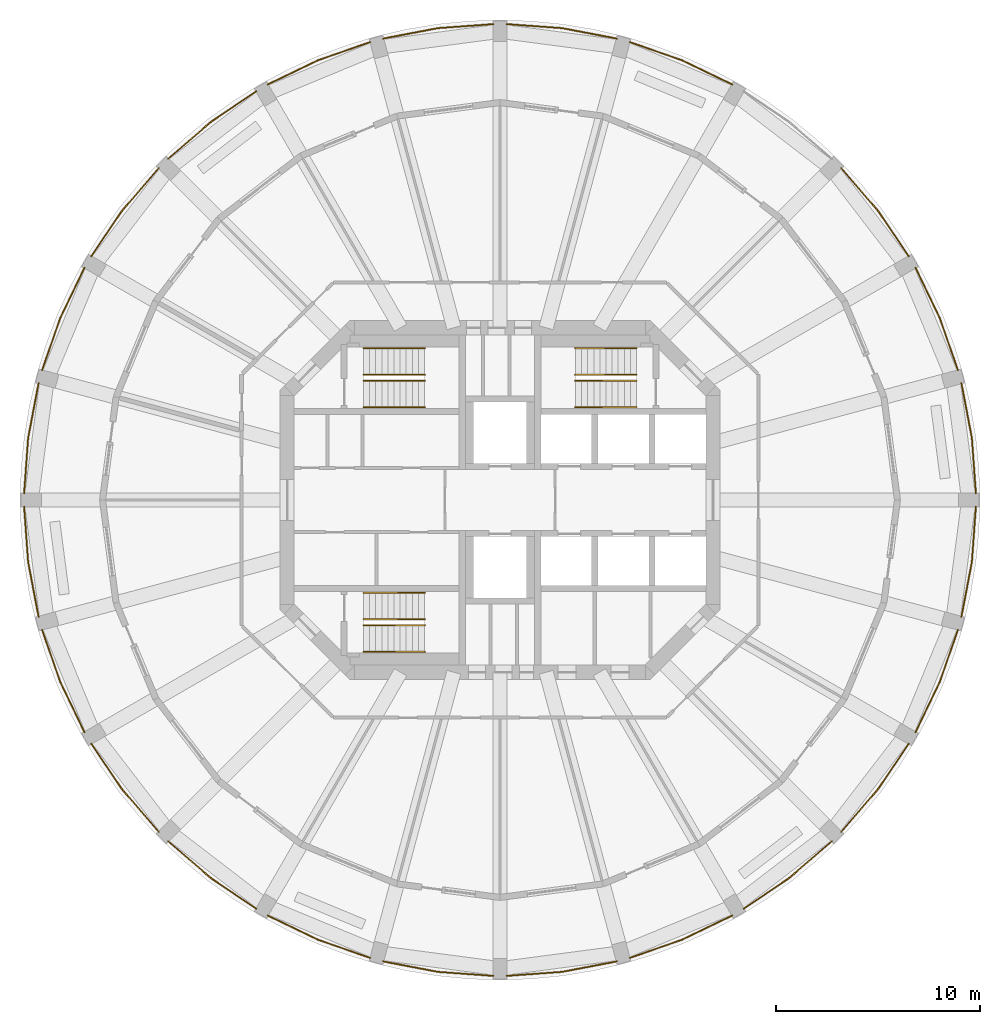
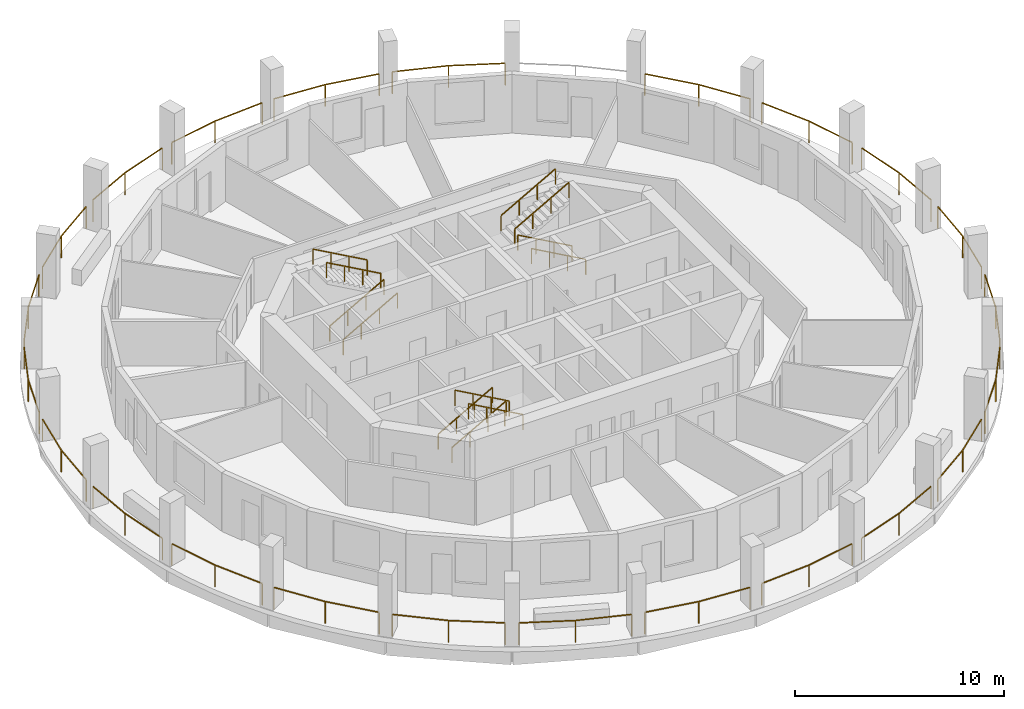
# One storey, part 7 of 8: 35 railings.
"""IFC4 building model written with IfcOpenShell, lengths in metres."""

from ifc_helpers import new_model, si_unit, direction, frame, origin, origin_2d, place, context, subcontext, project, spatial, rectangle, extrude, material, type_object, element, save


model = new_model("IFC4")

# Units and contexts
model_context = context("Model", 3, precision=1e-05, world=origin(), true_north=direction((0.0, 1.0)))
body_context = subcontext(model_context, "Body", "Model", "MODEL_VIEW")
ifc_project = project(units=[si_unit("LENGTHUNIT", "METRE"), si_unit("AREAUNIT", "SQUARE_METRE"), si_unit("VOLUMEUNIT", "CUBIC_METRE"), si_unit("PLANEANGLEUNIT", "RADIAN"), si_unit("MASSUNIT", "GRAM", prefix="KILO")], contexts=[model_context])

# Site, building, storey
site_placement = place(None, origin())
site = spatial("IfcSite", under=ifc_project, at=site_placement, CompositionType="ELEMENT")
building_placement = place(site_placement, origin())
building = spatial("IfcBuilding", under=site, at=building_placement, Name="Torre Triforio", CompositionType="ELEMENT")
storey_placement = place(building_placement, frame((0.0, 0.0, 207.60009765625)))
storey = spatial("IfcBuildingStorey", under=building, at=storey_placement, Name="L47", CompositionType="ELEMENT", Elevation=207.60009765625)

# Railings
ifc_material = material(Name="Stainless steel AISI 316", Category="steel")
railing_type_1 = type_object("IfcRailingType", Name="HANDRAIL 920", PredefinedType="HANDRAIL", material=ifc_material)
for number, where, name in (
    (1, (-6.699951171875, 4.550048828125, 0.16796875), "Handrail ST1"),
    (2, (-6.699951171875, 5.85009765625, 0.16796875), "Handrail ST1"),
):
    element("IfcRailing", number, at=place(storey_placement, frame(where)), inside=storey, type_object=railing_type_1, Name=name, PredefinedType="HANDRAIL", context=body_context, shape_type="SweptSolid", body=[
        extrude(rectangle(XDim=0.048095703125, YDim=0.048095703125, at=origin_2d()), frame((0.0, 0.0, 0.89599609375), z_axis=(0.872272294576, 0.0, 0.489020494575), x_axis=(0.0, 1.0, 0.0)), (0.0, 0.0, 1.0), 3.439208984375),
        extrude(rectangle(XDim=0.0419921875, YDim=0.0419921875, at=origin_2d()), origin(), (0.0, 0.0, 1.0), 0.871826171875),
        extrude(rectangle(XDim=0.0419921875, YDim=0.0419921875, at=origin_2d()), frame((1.0, 0.0, 0.560546875)), (0.0, 0.0, 1.0), 0.871826171875),
        extrude(rectangle(XDim=0.0419921875, YDim=0.0419921875, at=origin_2d()), frame((2.0, 0.0, 1.121337890625)), (0.0, 0.0, 1.0), 0.871826171875),
        extrude(rectangle(XDim=0.0419921875, YDim=0.0419921875, at=origin_2d()), frame((3.0, 0.0, 1.681884765625)), (0.0, 0.0, 1.0), 0.871826171875),
    ])
for number, where, name in (
    (3, (-3.699951171875, 7.449951171875, 2.01806640625), "Handrail ST1"),
    (4, (-3.699951171875, 6.14990234375, 2.01806640625), "Handrail ST1"),
    (5, (6.699951171875, 4.550048828125, 0.16796875), "Handrail ST2"),
    (6, (6.699951171875, 5.85009765625, 0.16796875), "Handrail ST2"),
):
    element("IfcRailing", number, at=place(storey_placement, frame(where)), inside=storey, type_object=railing_type_1, Name=name, PredefinedType="HANDRAIL", context=body_context, shape_type="SweptSolid", body=[
        extrude(rectangle(XDim=0.048095703125, YDim=0.048095703125, at=origin_2d()), frame((0.0, 0.0, 0.89599609375), z_axis=(-0.872272294576, 0.0, 0.489020494575), x_axis=(0.0, -1.0, 0.0)), (0.0, 0.0, 1.0), 3.439208984375),
        extrude(rectangle(XDim=0.0419921875, YDim=0.0419921875, at=origin_2d()), origin(), (0.0, 0.0, 1.0), 0.871826171875),
        extrude(rectangle(XDim=0.0419921875, YDim=0.0419921875, at=origin_2d()), frame((-1.0, 0.0, 0.560546875)), (0.0, 0.0, 1.0), 0.871826171875),
        extrude(rectangle(XDim=0.0419921875, YDim=0.0419921875, at=origin_2d()), frame((-2.0, 0.0, 1.121337890625)), (0.0, 0.0, 1.0), 0.871826171875),
        extrude(rectangle(XDim=0.0419921875, YDim=0.0419921875, at=origin_2d()), frame((-3.0, 0.0, 1.681884765625)), (0.0, 0.0, 1.0), 0.871826171875),
    ])
for number, where, name in (
    (7, (3.699951171875, 7.449951171875, 2.01806640625), "Handrail ST2"),
    (8, (3.699951171875, 6.14990234375, 2.01806640625), "Handrail ST2"),
    (9, (-6.699951171875, -4.550048828125, 0.16796875), "Handrail ST3"),
    (10, (-6.699951171875, -5.85009765625, 0.16796875), "Handrail ST3"),
):
    element("IfcRailing", number, at=place(storey_placement, frame(where)), inside=storey, type_object=railing_type_1, Name=name, PredefinedType="HANDRAIL", context=body_context, shape_type="SweptSolid", body=[
        extrude(rectangle(XDim=0.048095703125, YDim=0.048095703125, at=origin_2d()), frame((0.0, 0.0, 0.89599609375), z_axis=(0.872272294576, 0.0, 0.489020494575), x_axis=(0.0, 1.0, 0.0)), (0.0, 0.0, 1.0), 3.439208984375),
        extrude(rectangle(XDim=0.0419921875, YDim=0.0419921875, at=origin_2d()), origin(), (0.0, 0.0, 1.0), 0.871826171875),
        extrude(rectangle(XDim=0.0419921875, YDim=0.0419921875, at=origin_2d()), frame((1.0, 0.0, 0.560546875)), (0.0, 0.0, 1.0), 0.871826171875),
        extrude(rectangle(XDim=0.0419921875, YDim=0.0419921875, at=origin_2d()), frame((2.0, 0.0, 1.121337890625)), (0.0, 0.0, 1.0), 0.871826171875),
        extrude(rectangle(XDim=0.0419921875, YDim=0.0419921875, at=origin_2d()), frame((3.0, 0.0, 1.681884765625)), (0.0, 0.0, 1.0), 0.871826171875),
    ])
for number, where, name in (
    (11, (-3.699951171875, -7.449951171875, 2.01806640625), "Handrail ST3"),
    (12, (-3.699951171875, -6.14990234375, 2.01806640625), "Handrail ST3"),
):
    element("IfcRailing", number, at=place(storey_placement, frame(where)), inside=storey, type_object=railing_type_1, Name=name, PredefinedType="HANDRAIL", context=body_context, shape_type="SweptSolid", body=[
        extrude(rectangle(XDim=0.048095703125, YDim=0.048095703125, at=origin_2d()), frame((0.0, 0.0, 0.89599609375), z_axis=(-0.872272294576, 0.0, 0.489020494575), x_axis=(0.0, -1.0, 0.0)), (0.0, 0.0, 1.0), 3.439208984375),
        extrude(rectangle(XDim=0.0419921875, YDim=0.0419921875, at=origin_2d()), origin(), (0.0, 0.0, 1.0), 0.871826171875),
        extrude(rectangle(XDim=0.0419921875, YDim=0.0419921875, at=origin_2d()), frame((-1.0, 0.0, 0.560546875)), (0.0, 0.0, 1.0), 0.871826171875),
        extrude(rectangle(XDim=0.0419921875, YDim=0.0419921875, at=origin_2d()), frame((-2.0, 0.0, 1.121337890625)), (0.0, 0.0, 1.0), 0.871826171875),
        extrude(rectangle(XDim=0.0419921875, YDim=0.0419921875, at=origin_2d()), frame((-3.0, 0.0, 1.681884765625)), (0.0, 0.0, 1.0), 0.871826171875),
    ])
railing_type_2 = type_object("IfcRailingType", Name="Loggia guard 1300", PredefinedType="GUARDRAIL", material=ifc_material)
railing_1_placement = place(storey_placement, frame((23.35009765625, 0.320068359375, 0.0)))
element("IfcRailing", 13, at=railing_1_placement, inside=storey, type_object=railing_type_2, Name="Loggia guard L47 bay 01", PredefinedType="GUARDRAIL", context=body_context, shape_type="SweptSolid", body=[
    extrude(rectangle(XDim=0.050048828125, YDim=0.050048828125, at=origin_2d()), frame((0.0, 0.0, 1.27490234375), z_axis=(-0.073105569346, 0.997324207934, 0.0), x_axis=(-0.997324207934, -0.073105569346, 0.0)), (0.0, 0.0, 1.0), 2.735107421875),
    extrude(rectangle(XDim=0.050048828125, YDim=0.050048828125, at=origin_2d()), frame((-0.199951171875, 2.727783203125, 1.27490234375), z_axis=(-0.187542781797, 0.982256435457, 0.0), x_axis=(-0.982256435457, -0.187542781797, 0.0)), (0.0, 0.0, 1.0), 2.735107421875),
    extrude(rectangle(XDim=0.0400390625, YDim=0.0400390625, at=origin_2d()), origin(), (0.0, 0.0, 1.0), 1.25),
    extrude(rectangle(XDim=0.0400390625, YDim=0.0400390625, at=origin_2d()), frame((-0.199951171875, 2.727783203125, 0.0)), (0.0, 0.0, 1.0), 1.25),
    extrude(rectangle(XDim=0.0400390625, YDim=0.0400390625, at=origin_2d()), frame((-0.712890625, 5.414306640625, 0.0)), (0.0, 0.0, 1.0), 1.25),
])
railing_2_placement = place(storey_placement, frame((22.471435546875, 6.3525390625, 0.0)))
element("IfcRailing", 14, at=railing_2_placement, inside=storey, type_object=railing_type_2, Name="Loggia guard L47 bay 02", PredefinedType="GUARDRAIL", context=body_context, shape_type="SweptSolid", body=[
    extrude(rectangle(XDim=0.050048828125, YDim=0.050048828125, at=origin_2d()), frame((0.0, 0.0, 1.27490234375), z_axis=(-0.328652177394, 0.944451029061, 0.0), x_axis=(-0.944451029061, -0.328652177394, 0.0)), (0.0, 0.0, 1.0), 2.735107421875),
    extrude(rectangle(XDim=0.050048828125, YDim=0.050048828125, at=origin_2d()), frame((-0.89892578125, 2.583251953125, 1.27490234375), z_axis=(-0.435427931096, 0.900223592682, 0.0), x_axis=(-0.900223592682, -0.435427931096, 0.0)), (0.0, 0.0, 1.0), 2.735107421875),
    extrude(rectangle(XDim=0.0400390625, YDim=0.0400390625, at=origin_2d()), origin(), (0.0, 0.0, 1.0), 1.25),
    extrude(rectangle(XDim=0.0400390625, YDim=0.0400390625, at=origin_2d()), frame((-0.89892578125, 2.583251953125, 0.0)), (0.0, 0.0, 1.0), 1.25),
    extrude(rectangle(XDim=0.0400390625, YDim=0.0400390625, at=origin_2d()), frame((-2.08984375, 5.04541015625, 0.0)), (0.0, 0.0, 1.0), 1.25),
])
railing_3_placement = place(storey_placement, frame((20.061767578125, 11.9521484375, 0.0)))
element("IfcRailing", 15, at=railing_3_placement, inside=storey, type_object=railing_type_2, Name="Loggia guard L47 bay 03", PredefinedType="GUARDRAIL", context=body_context, shape_type="SweptSolid", body=[
    extrude(rectangle(XDim=0.050048828125, YDim=0.050048828125, at=origin_2d()), frame((0.0, 0.0, 1.27490234375), z_axis=(-0.561909542334, 0.827198686069, 0.0), x_axis=(-0.827198686069, -0.561909542334, 0.0)), (0.0, 0.0, 1.0), 2.735107421875),
    extrude(rectangle(XDim=0.050048828125, YDim=0.050048828125, at=origin_2d()), frame((-1.536865234375, 2.262451171875, 1.27490234375), z_axis=(-0.653580361536, 0.756857127214, 0.0), x_axis=(-0.756857127214, -0.653580361536, 0.0)), (0.0, 0.0, 1.0), 2.735107421875),
    extrude(rectangle(XDim=0.0400390625, YDim=0.0400390625, at=origin_2d()), origin(), (0.0, 0.0, 1.0), 1.25),
    extrude(rectangle(XDim=0.0400390625, YDim=0.0400390625, at=origin_2d()), frame((-1.536865234375, 2.262451171875, 0.0)), (0.0, 0.0, 1.0), 1.25),
    extrude(rectangle(XDim=0.0400390625, YDim=0.0400390625, at=origin_2d()), frame((-3.324462890625, 4.33251953125, 0.0)), (0.0, 0.0, 1.0), 1.25),
])
railing_4_placement = place(storey_placement, frame((11.39794921875, 20.381591796875, 0.0)))
element("IfcRailing", 16, at=railing_4_placement, inside=storey, type_object=railing_type_2, Name="Loggia guard L47 bay 05", PredefinedType="GUARDRAIL", context=body_context, shape_type="SweptSolid", body=[
    extrude(rectangle(XDim=0.050048828125, YDim=0.050048828125, at=origin_2d()), frame((0.0, 0.0, 1.27490234375), z_axis=(-0.900223592682, 0.435427931096, 0.0), x_axis=(-0.435427931096, -0.900223592682, 0.0)), (0.0, 0.0, 1.0), 2.735107421875),
    extrude(rectangle(XDim=0.050048828125, YDim=0.050048828125, at=origin_2d()), frame((-2.462158203125, 1.19091796875, 1.27490234375), z_axis=(-0.944451029061, 0.328652177394, 0.0), x_axis=(-0.328652177394, -0.944451029061, 0.0)), (0.0, 0.0, 1.0), 2.735107421875),
    extrude(rectangle(XDim=0.0400390625, YDim=0.0400390625, at=origin_2d()), origin(), (0.0, 0.0, 1.0), 1.25),
    extrude(rectangle(XDim=0.0400390625, YDim=0.0400390625, at=origin_2d()), frame((-2.462158203125, 1.19091796875, 0.0)), (0.0, 0.0, 1.0), 1.25),
    extrude(rectangle(XDim=0.0400390625, YDim=0.0400390625, at=origin_2d()), frame((-5.04541015625, 2.08984375, 0.0)), (0.0, 0.0, 1.0), 1.25),
])
railing_5_placement = place(storey_placement, frame((5.734375, 22.63720703125, 0.0)))
element("IfcRailing", 17, at=railing_5_placement, inside=storey, type_object=railing_type_2, Name="Loggia guard L47 bay 06", PredefinedType="GUARDRAIL", context=body_context, shape_type="SweptSolid", body=[
    extrude(rectangle(XDim=0.050048828125, YDim=0.050048828125, at=origin_2d()), frame((0.0, 0.0, 1.27490234375), z_axis=(-0.982256435457, 0.187542781797, 0.0), x_axis=(-0.187542781797, -0.982256435457, 0.0)), (0.0, 0.0, 1.0), 2.735107421875),
    extrude(rectangle(XDim=0.050048828125, YDim=0.050048828125, at=origin_2d()), frame((-2.6865234375, 0.512939453125, 1.27490234375), z_axis=(-0.997324207934, 0.073105569346, 0.0), x_axis=(-0.073105569346, -0.997324207934, 0.0)), (0.0, 0.0, 1.0), 2.735107421875),
    extrude(rectangle(XDim=0.0400390625, YDim=0.0400390625, at=origin_2d()), origin(), (0.0, 0.0, 1.0), 1.25),
    extrude(rectangle(XDim=0.0400390625, YDim=0.0400390625, at=origin_2d()), frame((-2.6865234375, 0.512939453125, 0.0)), (0.0, 0.0, 1.0), 1.25),
    extrude(rectangle(XDim=0.0400390625, YDim=0.0400390625, at=origin_2d()), frame((-5.414306640625, 0.712890625, 0.0)), (0.0, 0.0, 1.0), 1.25),
])
railing_6_placement = place(storey_placement, frame((-0.320068359375, 23.35009765625, 0.0)))
element("IfcRailing", 18, at=railing_6_placement, inside=storey, type_object=railing_type_2, Name="Loggia guard L47 bay 07", PredefinedType="GUARDRAIL", context=body_context, shape_type="SweptSolid", body=[
    extrude(rectangle(XDim=0.050048828125, YDim=0.050048828125, at=origin_2d()), frame((0.0, 0.0, 1.27490234375), z_axis=(-0.997324207934, -0.073105569346, 0.0), x_axis=(0.073105569346, -0.997324207934, 0.0)), (0.0, 0.0, 1.0), 2.735107421875),
    extrude(rectangle(XDim=0.050048828125, YDim=0.050048828125, at=origin_2d()), frame((-2.727783203125, -0.199951171875, 1.27490234375), z_axis=(-0.982256435457, -0.187542781797, 0.0), x_axis=(0.187542781797, -0.982256435457, 0.0)), (0.0, 0.0, 1.0), 2.735107421875),
    extrude(rectangle(XDim=0.0400390625, YDim=0.0400390625, at=origin_2d()), origin(), (0.0, 0.0, 1.0), 1.25),
    extrude(rectangle(XDim=0.0400390625, YDim=0.0400390625, at=origin_2d()), frame((-2.727783203125, -0.199951171875, 0.0)), (0.0, 0.0, 1.0), 1.25),
    extrude(rectangle(XDim=0.0400390625, YDim=0.0400390625, at=origin_2d()), frame((-5.414306640625, -0.712890625, 0.0)), (0.0, 0.0, 1.0), 1.25),
])
railing_7_placement = place(storey_placement, frame((-6.3525390625, 22.471435546875, 0.0)))
element("IfcRailing", 19, at=railing_7_placement, inside=storey, type_object=railing_type_2, Name="Loggia guard L47 bay 08", PredefinedType="GUARDRAIL", context=body_context, shape_type="SweptSolid", body=[
    extrude(rectangle(XDim=0.050048828125, YDim=0.050048828125, at=origin_2d()), frame((0.0, 0.0, 1.27490234375), z_axis=(-0.944451029061, -0.328652177394, 0.0), x_axis=(0.328652177394, -0.944451029061, 0.0)), (0.0, 0.0, 1.0), 2.735107421875),
    extrude(rectangle(XDim=0.050048828125, YDim=0.050048828125, at=origin_2d()), frame((-2.583251953125, -0.89892578125, 1.27490234375), z_axis=(-0.900223592682, -0.435427931096, 0.0), x_axis=(0.435427931096, -0.900223592682, 0.0)), (0.0, 0.0, 1.0), 2.735107421875),
    extrude(rectangle(XDim=0.0400390625, YDim=0.0400390625, at=origin_2d()), origin(), (0.0, 0.0, 1.0), 1.25),
    extrude(rectangle(XDim=0.0400390625, YDim=0.0400390625, at=origin_2d()), frame((-2.583251953125, -0.89892578125, 0.0)), (0.0, 0.0, 1.0), 1.25),
    extrude(rectangle(XDim=0.0400390625, YDim=0.0400390625, at=origin_2d()), frame((-5.04541015625, -2.08984375, 0.0)), (0.0, 0.0, 1.0), 1.25),
])
railing_8_placement = place(storey_placement, frame((-11.9521484375, 20.061767578125, 0.0)))
element("IfcRailing", 20, at=railing_8_placement, inside=storey, type_object=railing_type_2, Name="Loggia guard L47 bay 09", PredefinedType="GUARDRAIL", context=body_context, shape_type="SweptSolid", body=[
    extrude(rectangle(XDim=0.050048828125, YDim=0.050048828125, at=origin_2d()), frame((0.0, 0.0, 1.27490234375), z_axis=(-0.827198686069, -0.561909542334, 0.0), x_axis=(0.561909542334, -0.827198686069, 0.0)), (0.0, 0.0, 1.0), 2.735107421875),
    extrude(rectangle(XDim=0.050048828125, YDim=0.050048828125, at=origin_2d()), frame((-2.262451171875, -1.536865234375, 1.27490234375), z_axis=(-0.756857127214, -0.653580361536, 0.0), x_axis=(0.653580361536, -0.756857127214, 0.0)), (0.0, 0.0, 1.0), 2.735107421875),
    extrude(rectangle(XDim=0.0400390625, YDim=0.0400390625, at=origin_2d()), origin(), (0.0, 0.0, 1.0), 1.25),
    extrude(rectangle(XDim=0.0400390625, YDim=0.0400390625, at=origin_2d()), frame((-2.262451171875, -1.536865234375, 0.0)), (0.0, 0.0, 1.0), 1.25),
    extrude(rectangle(XDim=0.0400390625, YDim=0.0400390625, at=origin_2d()), frame((-4.33251953125, -3.324462890625, 0.0)), (0.0, 0.0, 1.0), 1.25),
])
railing_9_placement = place(storey_placement, frame((-16.7373046875, 16.28466796875, 0.0)))
element("IfcRailing", 21, at=railing_9_placement, inside=storey, type_object=railing_type_2, Name="Loggia guard L47 bay 10", PredefinedType="GUARDRAIL", context=body_context, shape_type="SweptSolid", body=[
    extrude(rectangle(XDim=0.050048828125, YDim=0.050048828125, at=origin_2d()), frame((0.0, 0.0, 1.27490234375), z_axis=(-0.653580361536, -0.756857127214, 0.0), x_axis=(0.756857127214, -0.653580361536, 0.0)), (0.0, 0.0, 1.0), 2.735107421875),
    extrude(rectangle(XDim=0.050048828125, YDim=0.050048828125, at=origin_2d()), frame((-1.78759765625, -2.070068359375, 1.27490234375), z_axis=(-0.561909542334, -0.827198686069, 0.0), x_axis=(0.827198686069, -0.561909542334, 0.0)), (0.0, 0.0, 1.0), 2.735107421875),
    extrude(rectangle(XDim=0.0400390625, YDim=0.0400390625, at=origin_2d()), origin(), (0.0, 0.0, 1.0), 1.25),
    extrude(rectangle(XDim=0.0400390625, YDim=0.0400390625, at=origin_2d()), frame((-1.78759765625, -2.070068359375, 0.0)), (0.0, 0.0, 1.0), 1.25),
    extrude(rectangle(XDim=0.0400390625, YDim=0.0400390625, at=origin_2d()), frame((-3.324462890625, -4.33251953125, 0.0)), (0.0, 0.0, 1.0), 1.25),
])
railing_10_placement = place(storey_placement, frame((-20.381591796875, 11.39794921875, 0.0)))
element("IfcRailing", 22, at=railing_10_placement, inside=storey, type_object=railing_type_2, Name="Loggia guard L47 bay 11", PredefinedType="GUARDRAIL", context=body_context, shape_type="SweptSolid", body=[
    extrude(rectangle(XDim=0.050048828125, YDim=0.050048828125, at=origin_2d()), frame((0.0, 0.0, 1.27490234375), z_axis=(-0.435427931096, -0.900223592682, 0.0), x_axis=(0.900223592682, -0.435427931096, 0.0)), (0.0, 0.0, 1.0), 2.735107421875),
    extrude(rectangle(XDim=0.050048828125, YDim=0.050048828125, at=origin_2d()), frame((-1.19091796875, -2.462158203125, 1.27490234375), z_axis=(-0.328652177394, -0.944451029061, 0.0), x_axis=(0.944451029061, -0.328652177394, 0.0)), (0.0, 0.0, 1.0), 2.735107421875),
    extrude(rectangle(XDim=0.0400390625, YDim=0.0400390625, at=origin_2d()), origin(), (0.0, 0.0, 1.0), 1.25),
    extrude(rectangle(XDim=0.0400390625, YDim=0.0400390625, at=origin_2d()), frame((-1.19091796875, -2.462158203125, 0.0)), (0.0, 0.0, 1.0), 1.25),
    extrude(rectangle(XDim=0.0400390625, YDim=0.0400390625, at=origin_2d()), frame((-2.08984375, -5.04541015625, 0.0)), (0.0, 0.0, 1.0), 1.25),
])
railing_11_placement = place(storey_placement, frame((-22.63720703125, 5.734375, 0.0)))
element("IfcRailing", 23, at=railing_11_placement, inside=storey, type_object=railing_type_2, Name="Loggia guard L47 bay 12", PredefinedType="GUARDRAIL", context=body_context, shape_type="SweptSolid", body=[
    extrude(rectangle(XDim=0.050048828125, YDim=0.050048828125, at=origin_2d()), frame((0.0, 0.0, 1.27490234375), z_axis=(-0.187542781797, -0.982256435457, 0.0), x_axis=(0.982256435457, -0.187542781797, 0.0)), (0.0, 0.0, 1.0), 2.735107421875),
    extrude(rectangle(XDim=0.050048828125, YDim=0.050048828125, at=origin_2d()), frame((-0.512939453125, -2.6865234375, 1.27490234375), z_axis=(-0.073105569346, -0.997324207934, 0.0), x_axis=(0.997324207934, -0.073105569346, 0.0)), (0.0, 0.0, 1.0), 2.735107421875),
    extrude(rectangle(XDim=0.0400390625, YDim=0.0400390625, at=origin_2d()), origin(), (0.0, 0.0, 1.0), 1.25),
    extrude(rectangle(XDim=0.0400390625, YDim=0.0400390625, at=origin_2d()), frame((-0.512939453125, -2.6865234375, 0.0)), (0.0, 0.0, 1.0), 1.25),
    extrude(rectangle(XDim=0.0400390625, YDim=0.0400390625, at=origin_2d()), frame((-0.712890625, -5.414306640625, 0.0)), (0.0, 0.0, 1.0), 1.25),
])
railing_12_placement = place(storey_placement, frame((-23.35009765625, -0.320068359375, 0.0)))
element("IfcRailing", 24, at=railing_12_placement, inside=storey, type_object=railing_type_2, Name="Loggia guard L47 bay 13", PredefinedType="GUARDRAIL", context=body_context, shape_type="SweptSolid", body=[
    extrude(rectangle(XDim=0.050048828125, YDim=0.050048828125, at=origin_2d()), frame((0.0, 0.0, 1.27490234375), z_axis=(0.073105569346, -0.997324207934, 0.0), x_axis=(0.997324207934, 0.073105569346, 0.0)), (0.0, 0.0, 1.0), 2.735107421875),
    extrude(rectangle(XDim=0.050048828125, YDim=0.050048828125, at=origin_2d()), frame((0.199951171875, -2.727783203125, 1.27490234375), z_axis=(0.187542781797, -0.982256435457, 0.0), x_axis=(0.982256435457, 0.187542781797, 0.0)), (0.0, 0.0, 1.0), 2.735107421875),
    extrude(rectangle(XDim=0.0400390625, YDim=0.0400390625, at=origin_2d()), origin(), (0.0, 0.0, 1.0), 1.25),
    extrude(rectangle(XDim=0.0400390625, YDim=0.0400390625, at=origin_2d()), frame((0.199951171875, -2.727783203125, 0.0)), (0.0, 0.0, 1.0), 1.25),
    extrude(rectangle(XDim=0.0400390625, YDim=0.0400390625, at=origin_2d()), frame((0.712890625, -5.414306640625, 0.0)), (0.0, 0.0, 1.0), 1.25),
])
railing_13_placement = place(storey_placement, frame((-22.471435546875, -6.3525390625, 0.0)))
element("IfcRailing", 25, at=railing_13_placement, inside=storey, type_object=railing_type_2, Name="Loggia guard L47 bay 14", PredefinedType="GUARDRAIL", context=body_context, shape_type="SweptSolid", body=[
    extrude(rectangle(XDim=0.050048828125, YDim=0.050048828125, at=origin_2d()), frame((0.0, 0.0, 1.27490234375), z_axis=(0.328652177394, -0.944451029061, 0.0), x_axis=(0.944451029061, 0.328652177394, 0.0)), (0.0, 0.0, 1.0), 2.735107421875),
    extrude(rectangle(XDim=0.050048828125, YDim=0.050048828125, at=origin_2d()), frame((0.89892578125, -2.583251953125, 1.27490234375), z_axis=(0.435427931096, -0.900223592682, 0.0), x_axis=(0.900223592682, 0.435427931096, 0.0)), (0.0, 0.0, 1.0), 2.735107421875),
    extrude(rectangle(XDim=0.0400390625, YDim=0.0400390625, at=origin_2d()), origin(), (0.0, 0.0, 1.0), 1.25),
    extrude(rectangle(XDim=0.0400390625, YDim=0.0400390625, at=origin_2d()), frame((0.89892578125, -2.583251953125, 0.0)), (0.0, 0.0, 1.0), 1.25),
    extrude(rectangle(XDim=0.0400390625, YDim=0.0400390625, at=origin_2d()), frame((2.08984375, -5.04541015625, 0.0)), (0.0, 0.0, 1.0), 1.25),
])
railing_14_placement = place(storey_placement, frame((-20.061767578125, -11.9521484375, 0.0)))
element("IfcRailing", 26, at=railing_14_placement, inside=storey, type_object=railing_type_2, Name="Loggia guard L47 bay 15", PredefinedType="GUARDRAIL", context=body_context, shape_type="SweptSolid", body=[
    extrude(rectangle(XDim=0.050048828125, YDim=0.050048828125, at=origin_2d()), frame((0.0, 0.0, 1.27490234375), z_axis=(0.561909542334, -0.827198686069, 0.0), x_axis=(0.827198686069, 0.561909542334, 0.0)), (0.0, 0.0, 1.0), 2.735107421875),
    extrude(rectangle(XDim=0.050048828125, YDim=0.050048828125, at=origin_2d()), frame((1.536865234375, -2.262451171875, 1.27490234375), z_axis=(0.653580361536, -0.756857127214, 0.0), x_axis=(0.756857127214, 0.653580361536, 0.0)), (0.0, 0.0, 1.0), 2.735107421875),
    extrude(rectangle(XDim=0.0400390625, YDim=0.0400390625, at=origin_2d()), origin(), (0.0, 0.0, 1.0), 1.25),
    extrude(rectangle(XDim=0.0400390625, YDim=0.0400390625, at=origin_2d()), frame((1.536865234375, -2.262451171875, 0.0)), (0.0, 0.0, 1.0), 1.25),
    extrude(rectangle(XDim=0.0400390625, YDim=0.0400390625, at=origin_2d()), frame((3.324462890625, -4.33251953125, 0.0)), (0.0, 0.0, 1.0), 1.25),
])
railing_15_placement = place(storey_placement, frame((-16.28466796875, -16.7373046875, 0.0)))
element("IfcRailing", 27, at=railing_15_placement, inside=storey, type_object=railing_type_2, Name="Loggia guard L47 bay 16", PredefinedType="GUARDRAIL", context=body_context, shape_type="SweptSolid", body=[
    extrude(rectangle(XDim=0.050048828125, YDim=0.050048828125, at=origin_2d()), frame((0.0, 0.0, 1.27490234375), z_axis=(0.756857127214, -0.653580361536, 0.0), x_axis=(0.653580361536, 0.756857127214, 0.0)), (0.0, 0.0, 1.0), 2.735107421875),
    extrude(rectangle(XDim=0.050048828125, YDim=0.050048828125, at=origin_2d()), frame((2.070068359375, -1.78759765625, 1.27490234375), z_axis=(0.827198686069, -0.561909542334, 0.0), x_axis=(0.561909542334, 0.827198686069, 0.0)), (0.0, 0.0, 1.0), 2.735107421875),
    extrude(rectangle(XDim=0.0400390625, YDim=0.0400390625, at=origin_2d()), origin(), (0.0, 0.0, 1.0), 1.25),
    extrude(rectangle(XDim=0.0400390625, YDim=0.0400390625, at=origin_2d()), frame((2.070068359375, -1.78759765625, 0.0)), (0.0, 0.0, 1.0), 1.25),
    extrude(rectangle(XDim=0.0400390625, YDim=0.0400390625, at=origin_2d()), frame((4.33251953125, -3.324462890625, 0.0)), (0.0, 0.0, 1.0), 1.25),
])
railing_16_placement = place(storey_placement, frame((-11.39794921875, -20.381591796875, 0.0)))
element("IfcRailing", 28, at=railing_16_placement, inside=storey, type_object=railing_type_2, Name="Loggia guard L47 bay 17", PredefinedType="GUARDRAIL", context=body_context, shape_type="SweptSolid", body=[
    extrude(rectangle(XDim=0.050048828125, YDim=0.050048828125, at=origin_2d()), frame((0.0, 0.0, 1.27490234375), z_axis=(0.900223592682, -0.435427931096, 0.0), x_axis=(0.435427931096, 0.900223592682, 0.0)), (0.0, 0.0, 1.0), 2.735107421875),
    extrude(rectangle(XDim=0.050048828125, YDim=0.050048828125, at=origin_2d()), frame((2.462158203125, -1.19091796875, 1.27490234375), z_axis=(0.944451029061, -0.328652177394, 0.0), x_axis=(0.328652177394, 0.944451029061, 0.0)), (0.0, 0.0, 1.0), 2.735107421875),
    extrude(rectangle(XDim=0.0400390625, YDim=0.0400390625, at=origin_2d()), origin(), (0.0, 0.0, 1.0), 1.25),
    extrude(rectangle(XDim=0.0400390625, YDim=0.0400390625, at=origin_2d()), frame((2.462158203125, -1.19091796875, 0.0)), (0.0, 0.0, 1.0), 1.25),
    extrude(rectangle(XDim=0.0400390625, YDim=0.0400390625, at=origin_2d()), frame((5.04541015625, -2.08984375, 0.0)), (0.0, 0.0, 1.0), 1.25),
])
railing_17_placement = place(storey_placement, frame((-5.734375, -22.63720703125, 0.0)))
element("IfcRailing", 29, at=railing_17_placement, inside=storey, type_object=railing_type_2, Name="Loggia guard L47 bay 18", PredefinedType="GUARDRAIL", context=body_context, shape_type="SweptSolid", body=[
    extrude(rectangle(XDim=0.050048828125, YDim=0.050048828125, at=origin_2d()), frame((0.0, 0.0, 1.27490234375), z_axis=(0.982256435457, -0.187542781797, 0.0), x_axis=(0.187542781797, 0.982256435457, 0.0)), (0.0, 0.0, 1.0), 2.735107421875),
    extrude(rectangle(XDim=0.050048828125, YDim=0.050048828125, at=origin_2d()), frame((2.6865234375, -0.512939453125, 1.27490234375), z_axis=(0.997324207934, -0.073105569346, 0.0), x_axis=(0.073105569346, 0.997324207934, 0.0)), (0.0, 0.0, 1.0), 2.735107421875),
    extrude(rectangle(XDim=0.0400390625, YDim=0.0400390625, at=origin_2d()), origin(), (0.0, 0.0, 1.0), 1.25),
    extrude(rectangle(XDim=0.0400390625, YDim=0.0400390625, at=origin_2d()), frame((2.6865234375, -0.512939453125, 0.0)), (0.0, 0.0, 1.0), 1.25),
    extrude(rectangle(XDim=0.0400390625, YDim=0.0400390625, at=origin_2d()), frame((5.414306640625, -0.712890625, 0.0)), (0.0, 0.0, 1.0), 1.25),
])
railing_18_placement = place(storey_placement, frame((0.320068359375, -23.35009765625, 0.0)))
element("IfcRailing", 30, at=railing_18_placement, inside=storey, type_object=railing_type_2, Name="Loggia guard L47 bay 19", PredefinedType="GUARDRAIL", context=body_context, shape_type="SweptSolid", body=[
    extrude(rectangle(XDim=0.050048828125, YDim=0.050048828125, at=origin_2d()), frame((0.0, 0.0, 1.27490234375), z_axis=(0.997324207934, 0.073105569346, 0.0), x_axis=(-0.073105569346, 0.997324207934, 0.0)), (0.0, 0.0, 1.0), 2.735107421875),
    extrude(rectangle(XDim=0.050048828125, YDim=0.050048828125, at=origin_2d()), frame((2.727783203125, 0.199951171875, 1.27490234375), z_axis=(0.982256435457, 0.187542781797, 0.0), x_axis=(-0.187542781797, 0.982256435457, 0.0)), (0.0, 0.0, 1.0), 2.735107421875),
    extrude(rectangle(XDim=0.0400390625, YDim=0.0400390625, at=origin_2d()), origin(), (0.0, 0.0, 1.0), 1.25),
    extrude(rectangle(XDim=0.0400390625, YDim=0.0400390625, at=origin_2d()), frame((2.727783203125, 0.199951171875, 0.0)), (0.0, 0.0, 1.0), 1.25),
    extrude(rectangle(XDim=0.0400390625, YDim=0.0400390625, at=origin_2d()), frame((5.414306640625, 0.712890625, 0.0)), (0.0, 0.0, 1.0), 1.25),
])
railing_19_placement = place(storey_placement, frame((6.3525390625, -22.471435546875, 0.0)))
element("IfcRailing", 31, at=railing_19_placement, inside=storey, type_object=railing_type_2, Name="Loggia guard L47 bay 20", PredefinedType="GUARDRAIL", context=body_context, shape_type="SweptSolid", body=[
    extrude(rectangle(XDim=0.050048828125, YDim=0.050048828125, at=origin_2d()), frame((0.0, 0.0, 1.27490234375), z_axis=(0.944451029061, 0.328652177394, 0.0), x_axis=(-0.328652177394, 0.944451029061, 0.0)), (0.0, 0.0, 1.0), 2.735107421875),
    extrude(rectangle(XDim=0.050048828125, YDim=0.050048828125, at=origin_2d()), frame((2.583251953125, 0.89892578125, 1.27490234375), z_axis=(0.900223592682, 0.435427931096, 0.0), x_axis=(-0.435427931096, 0.900223592682, 0.0)), (0.0, 0.0, 1.0), 2.735107421875),
    extrude(rectangle(XDim=0.0400390625, YDim=0.0400390625, at=origin_2d()), origin(), (0.0, 0.0, 1.0), 1.25),
    extrude(rectangle(XDim=0.0400390625, YDim=0.0400390625, at=origin_2d()), frame((2.583251953125, 0.89892578125, 0.0)), (0.0, 0.0, 1.0), 1.25),
    extrude(rectangle(XDim=0.0400390625, YDim=0.0400390625, at=origin_2d()), frame((5.04541015625, 2.08984375, 0.0)), (0.0, 0.0, 1.0), 1.25),
])
railing_20_placement = place(storey_placement, frame((11.9521484375, -20.061767578125, 0.0)))
element("IfcRailing", 32, at=railing_20_placement, inside=storey, type_object=railing_type_2, Name="Loggia guard L47 bay 21", PredefinedType="GUARDRAIL", context=body_context, shape_type="SweptSolid", body=[
    extrude(rectangle(XDim=0.050048828125, YDim=0.050048828125, at=origin_2d()), frame((0.0, 0.0, 1.27490234375), z_axis=(0.827198686069, 0.561909542334, 0.0), x_axis=(-0.561909542334, 0.827198686069, 0.0)), (0.0, 0.0, 1.0), 2.735107421875),
    extrude(rectangle(XDim=0.050048828125, YDim=0.050048828125, at=origin_2d()), frame((2.262451171875, 1.536865234375, 1.27490234375), z_axis=(0.756857127214, 0.653580361536, 0.0), x_axis=(-0.653580361536, 0.756857127214, 0.0)), (0.0, 0.0, 1.0), 2.735107421875),
    extrude(rectangle(XDim=0.0400390625, YDim=0.0400390625, at=origin_2d()), origin(), (0.0, 0.0, 1.0), 1.25),
    extrude(rectangle(XDim=0.0400390625, YDim=0.0400390625, at=origin_2d()), frame((2.262451171875, 1.536865234375, 0.0)), (0.0, 0.0, 1.0), 1.25),
    extrude(rectangle(XDim=0.0400390625, YDim=0.0400390625, at=origin_2d()), frame((4.33251953125, 3.324462890625, 0.0)), (0.0, 0.0, 1.0), 1.25),
])
railing_21_placement = place(storey_placement, frame((16.7373046875, -16.28466796875, 0.0)))
element("IfcRailing", 33, at=railing_21_placement, inside=storey, type_object=railing_type_2, Name="Loggia guard L47 bay 22", PredefinedType="GUARDRAIL", context=body_context, shape_type="SweptSolid", body=[
    extrude(rectangle(XDim=0.050048828125, YDim=0.050048828125, at=origin_2d()), frame((0.0, 0.0, 1.27490234375), z_axis=(0.653580361536, 0.756857127214, 0.0), x_axis=(-0.756857127214, 0.653580361536, 0.0)), (0.0, 0.0, 1.0), 2.735107421875),
    extrude(rectangle(XDim=0.050048828125, YDim=0.050048828125, at=origin_2d()), frame((1.78759765625, 2.070068359375, 1.27490234375), z_axis=(0.561909542334, 0.827198686069, 0.0), x_axis=(-0.827198686069, 0.561909542334, 0.0)), (0.0, 0.0, 1.0), 2.735107421875),
    extrude(rectangle(XDim=0.0400390625, YDim=0.0400390625, at=origin_2d()), origin(), (0.0, 0.0, 1.0), 1.25),
    extrude(rectangle(XDim=0.0400390625, YDim=0.0400390625, at=origin_2d()), frame((1.78759765625, 2.070068359375, 0.0)), (0.0, 0.0, 1.0), 1.25),
    extrude(rectangle(XDim=0.0400390625, YDim=0.0400390625, at=origin_2d()), frame((3.324462890625, 4.33251953125, 0.0)), (0.0, 0.0, 1.0), 1.25),
])
railing_22_placement = place(storey_placement, frame((20.381591796875, -11.39794921875, 0.0)))
element("IfcRailing", 34, at=railing_22_placement, inside=storey, type_object=railing_type_2, Name="Loggia guard L47 bay 23", PredefinedType="GUARDRAIL", context=body_context, shape_type="SweptSolid", body=[
    extrude(rectangle(XDim=0.050048828125, YDim=0.050048828125, at=origin_2d()), frame((0.0, 0.0, 1.27490234375), z_axis=(0.435427931096, 0.900223592682, 0.0), x_axis=(-0.900223592682, 0.435427931096, 0.0)), (0.0, 0.0, 1.0), 2.735107421875),
    extrude(rectangle(XDim=0.050048828125, YDim=0.050048828125, at=origin_2d()), frame((1.19091796875, 2.462158203125, 1.27490234375), z_axis=(0.328652177394, 0.944451029061, 0.0), x_axis=(-0.944451029061, 0.328652177394, 0.0)), (0.0, 0.0, 1.0), 2.735107421875),
    extrude(rectangle(XDim=0.0400390625, YDim=0.0400390625, at=origin_2d()), origin(), (0.0, 0.0, 1.0), 1.25),
    extrude(rectangle(XDim=0.0400390625, YDim=0.0400390625, at=origin_2d()), frame((1.19091796875, 2.462158203125, 0.0)), (0.0, 0.0, 1.0), 1.25),
    extrude(rectangle(XDim=0.0400390625, YDim=0.0400390625, at=origin_2d()), frame((2.08984375, 5.04541015625, 0.0)), (0.0, 0.0, 1.0), 1.25),
])
railing_23_placement = place(storey_placement, frame((22.63720703125, -5.734375, 0.0)))
element("IfcRailing", 35, at=railing_23_placement, inside=storey, type_object=railing_type_2, Name="Loggia guard L47 bay 24", PredefinedType="GUARDRAIL", context=body_context, shape_type="SweptSolid", body=[
    extrude(rectangle(XDim=0.050048828125, YDim=0.050048828125, at=origin_2d()), frame((0.0, 0.0, 1.27490234375), z_axis=(0.187542781797, 0.982256435457, 0.0), x_axis=(-0.982256435457, 0.187542781797, 0.0)), (0.0, 0.0, 1.0), 2.735107421875),
    extrude(rectangle(XDim=0.050048828125, YDim=0.050048828125, at=origin_2d()), frame((0.512939453125, 2.6865234375, 1.27490234375), z_axis=(0.073105569346, 0.997324207934, 0.0), x_axis=(-0.997324207934, 0.073105569346, 0.0)), (0.0, 0.0, 1.0), 2.735107421875),
    extrude(rectangle(XDim=0.0400390625, YDim=0.0400390625, at=origin_2d()), origin(), (0.0, 0.0, 1.0), 1.25),
    extrude(rectangle(XDim=0.0400390625, YDim=0.0400390625, at=origin_2d()), frame((0.512939453125, 2.6865234375, 0.0)), (0.0, 0.0, 1.0), 1.25),
    extrude(rectangle(XDim=0.0400390625, YDim=0.0400390625, at=origin_2d()), frame((0.712890625, 5.414306640625, 0.0)), (0.0, 0.0, 1.0), 1.25),
])

save(model, "model.ifc")
